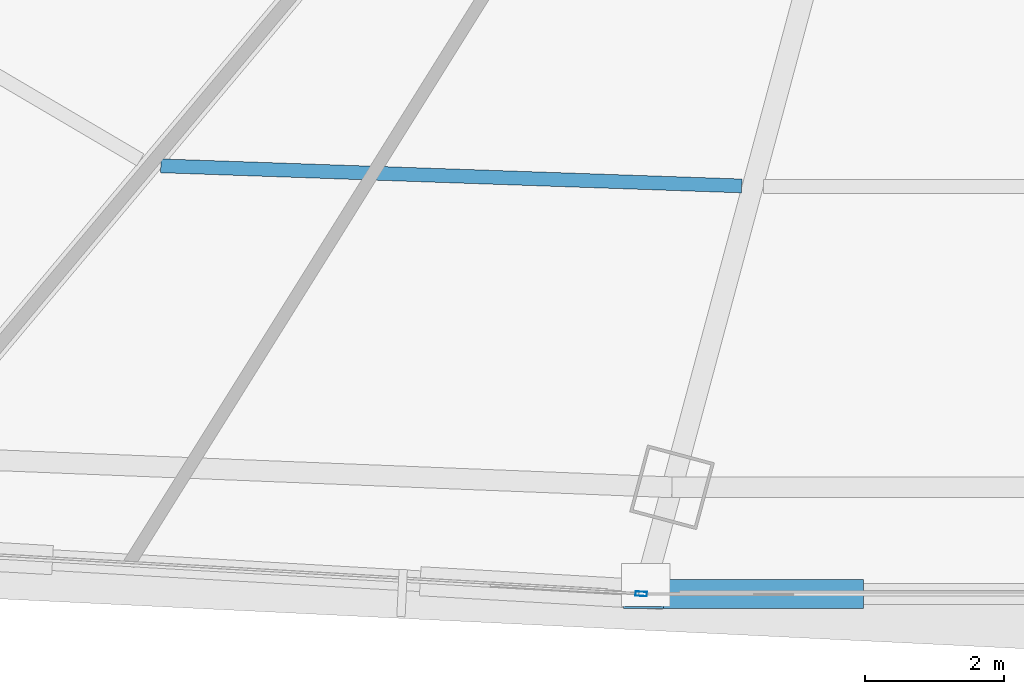
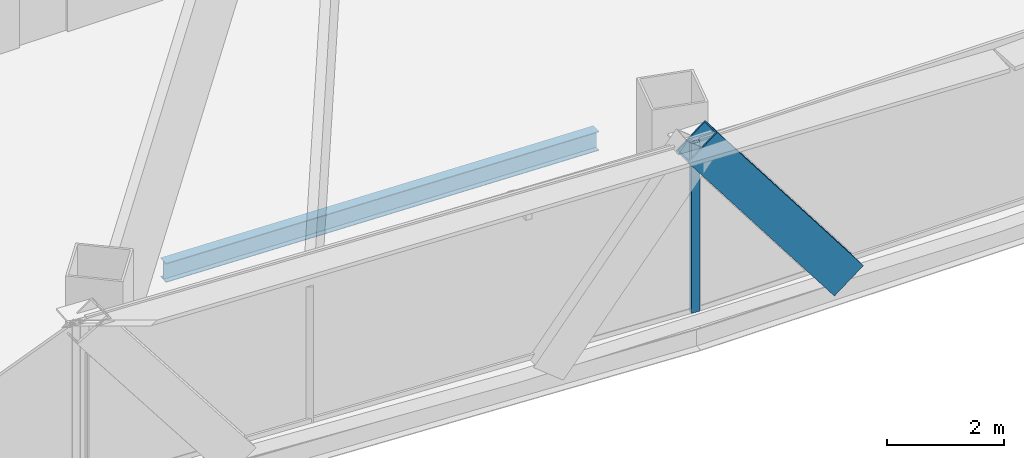
# One storey, part 8 of 36: 2 members, 1 beam, 1 element without a shape of its own.
"""IFC4 building model written with IfcOpenShell, lengths in metres."""

from ifc_helpers import new_model, si_unit, direction, frame, origin, origin_2d, place, context, subcontext, project, spatial, hollow_rectangle, i_section, extrude, source, transform, mapped, material, layer, layer_set, material_profile, profile_set, type_object, element, aggregate, save


model = new_model("IFC4")

# Units and contexts
model_context = context("Model", 3, precision=1e-05, world=origin(), true_north=direction((0.0, 1.0)))
body_context = subcontext(model_context, "Body", "Model", "MODEL_VIEW")
ifc_project = project(units=[si_unit("LENGTHUNIT", "METRE"), si_unit("AREAUNIT", "SQUARE_METRE"), si_unit("VOLUMEUNIT", "CUBIC_METRE"), si_unit("PLANEANGLEUNIT", "RADIAN"), si_unit("MASSUNIT", "GRAM", prefix="KILO"), si_unit("THERMODYNAMICTEMPERATUREUNIT", "KELVIN"), si_unit("POWERUNIT", "WATT")], contexts=[model_context])

# Site, building, storey
site_placement = place(None, origin())
site = spatial("IfcSite", under=ifc_project, at=site_placement, CompositionType="ELEMENT")
building_placement = place(site_placement, origin())
building = spatial("IfcBuilding", under=site, at=building_placement, Name="Yunzhuo Pagoda Commons", CompositionType="ELEMENT")
storey_placement = place(building_placement, frame((0.0, 0.0, 107.780029296875)))
storey = spatial("IfcBuildingStorey", under=building, at=storey_placement, Name="L27", CompositionType="ELEMENT", Elevation=107.780029296875)

# Beam
ifc_material_1 = material(Name="Structural steel Q355B", Category="steel")
ifc_material_profile_1 = material_profile(ifc_material_1, i_section(OverallWidth=0.199951171875, OverallDepth=0.39990234375, WebThickness=0.008056640625, FlangeThickness=0.012939453125, at=origin_2d()), Name="Structural steel Q355B")
ifc_profile_set_1 = profile_set([ifc_material_profile_1], Name="Structural steel Q355B")
beam_type = type_object("IfcBeamType", Name="B-JS1 Joist HN 400x200x8x13", PredefinedType="JOIST", material=ifc_profile_set_1)
shared_shape_1 = source(origin(), body_context, "Body", "SweptSolid", [
    extrude(i_section(OverallWidth=0.199951171875, OverallDepth=0.39990234375, WebThickness=0.008056640625, FlangeThickness=0.012939453125, at=origin_2d()), origin(), (0.0, 0.0, 1.0), 8.392822265625),
])
beam_placement = place(storey_placement, frame((35.25048828125, 18.310791015625, -0.4599609375), z_axis=(0.999400667027, -0.034616567521, 0.0), x_axis=(0.034616567521, 0.999400667027, 0.0)))
element("IfcBeam", 1, at=beam_placement, inside=storey, type_object=beam_type, Name="L27 composite ring joist 2.1", PredefinedType="JOIST", context=body_context, shape_type="MappedRepresentation", body=[
    mapped(shared_shape_1, transform((0.0, 0.0, 0.0), scale=1.0)),
])

# Member
ifc_material_2 = material(Name="Structural steel Q420B", Category="steel")
ifc_material_profile_2 = material_profile(ifc_material_2, hollow_rectangle(XDim=0.419921875, YDim=0.719970703125, WallThickness=0.028076171875, at=origin_2d()), Name="Structural steel Q420B")
ifc_profile_set_2 = profile_set([ifc_material_profile_2], Name="Structural steel Q420B")
member_type_1 = type_object("IfcMemberType", Name="M-DL1 Brace BOX 720x420x28", PredefinedType="BRACE", material=ifc_profile_set_2)
shared_shape_2 = source(origin(), body_context, "Body", "SweptSolid", [
    extrude(hollow_rectangle(XDim=0.419921875, YDim=0.719970703125, WallThickness=0.028076171875, at=origin_2d()), origin(), (0.0, 0.0, 1.0), 4.77392578125),
])
member_1_placement = place(storey_placement, frame((45.10986328125, 12.1279296875, -0.259765625), z_axis=(-0.605386636078, 0.0, 0.795931542821), x_axis=(0.0, -1.0, 0.0)))
element("IfcMember", 2, at=member_1_placement, inside=storey, type_object=member_type_1, Name="L27 facade diamond brace F1.2L", PredefinedType="BRACE", context=body_context, shape_type="MappedRepresentation", body=[
    mapped(shared_shape_2, transform((0.0, 0.0, 0.0), scale=1.0)),
])

# Curtain wall, member
ifc_material_3 = material(Name="Anodized aluminium 6063-T6", Category="aluminium")
ifc_layer = layer(ifc_material_3, 0.1650390625)
ifc_layer_set = layer_set([ifc_layer], Name="Anodized aluminium 6063-T6")
curtain_wall_type = type_object("IfcCurtainWallType", Name="CW-LOW Low-Zone Ribbon Curtain Wall", PredefinedType="NOTDEFINED", material=ifc_layer_set)
curtain_wall_placement = place(storey_placement, origin())
curtain_wall = element("IfcCurtainWall", 3, at=curtain_wall_placement, inside=storey, type_object=curtain_wall_type, Name="L27 curtain wall CW-L27-F1B2", PredefinedType="NOTDEFINED")
ifc_material_profile_3 = material_profile(ifc_material_3, hollow_rectangle(XDim=0.06494140625, YDim=0.1650390625, WallThickness=0.00390625, at=origin_2d()), Name="Anodized aluminium 6063-T6")
ifc_profile_set_3 = profile_set([ifc_material_profile_3], Name="Anodized aluminium 6063-T6")
member_type_2 = type_object("IfcMemberType", Name="CW-LOW-M Mullion RHS 165x65x4", PredefinedType="MULLION", material=ifc_profile_set_3)
shared_shape_3 = source(origin(), body_context, "Body", "SweptSolid", [
    extrude(hollow_rectangle(XDim=0.06494140625, YDim=0.1650390625, WallThickness=0.00390625, at=origin_2d()), origin(), (0.0, 0.0, 1.0), 3.5400390625),
])
member_2_placement = place(storey_placement, frame((42.187255859375, 12.129638671875, 0.0), z_axis=(0.0, 0.0, 1.0), x_axis=(0.057152816587, 0.998365441888, 0.0)))
member_2 = element("IfcMember", 4, at=member_2_placement, type_object=member_type_2, Name="CW mullion 2", PredefinedType="MULLION", context=body_context, shape_type="MappedRepresentation", body=[
    mapped(shared_shape_3, transform((0.0, 0.0, 0.0), scale=1.0)),
])
aggregate(curtain_wall, [member_2])

save(model, "model.ifc")
